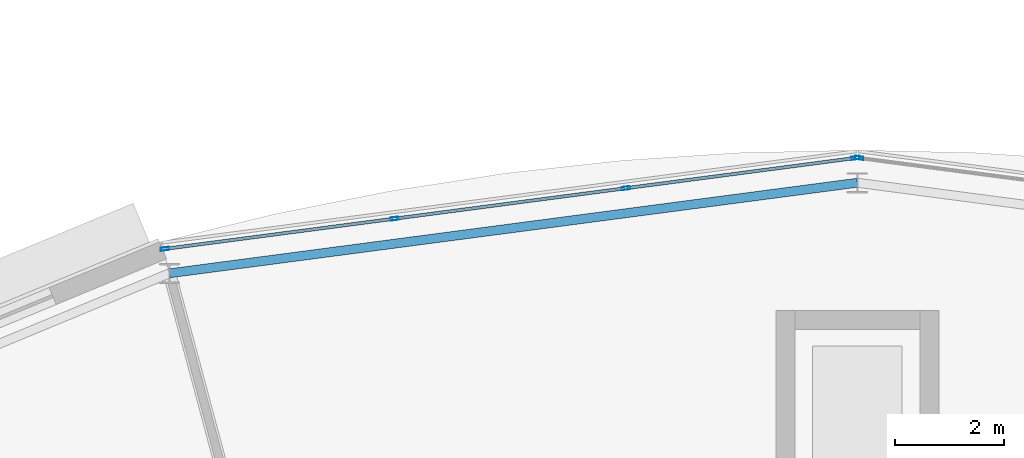
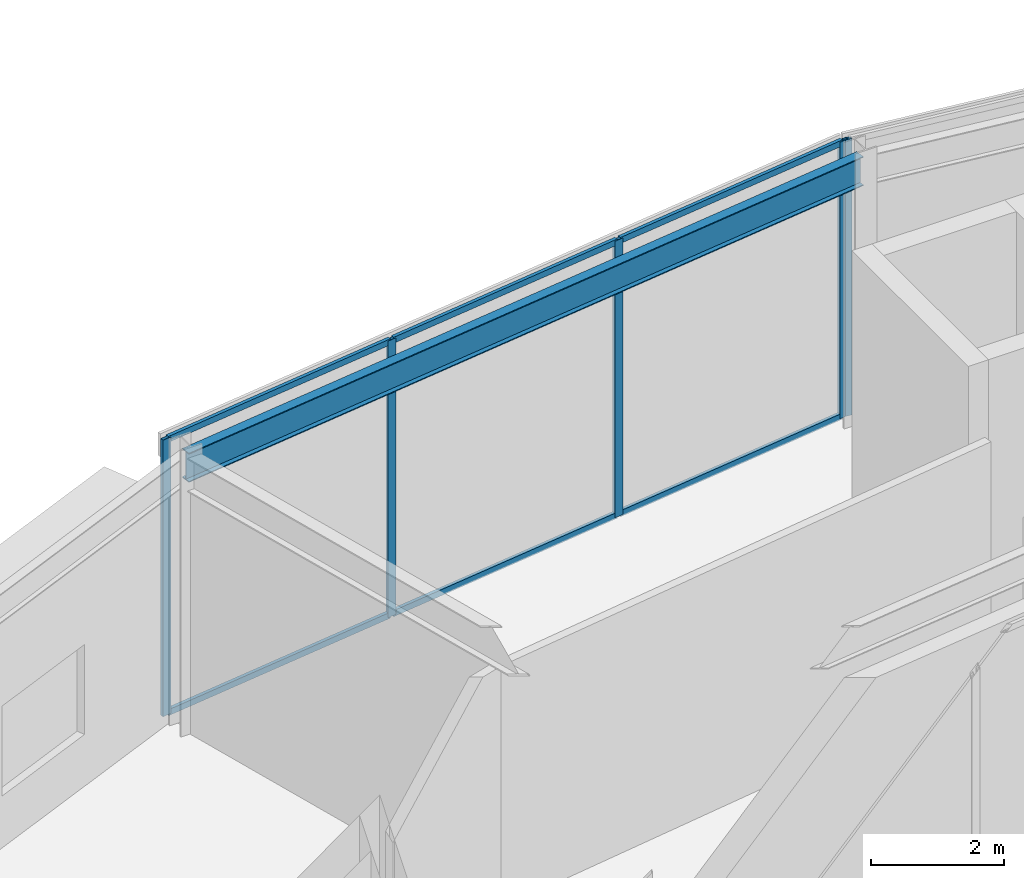
# One storey, part 92 of 168: 11 members, 1 beam, 2 elements without a shape of their own.
"""IFC4 building model written with IfcOpenShell, lengths in metres."""

from ifc_helpers import new_model, si_unit, direction, frame, origin, origin_2d, place, context, subcontext, project, spatial, hollow_rectangle, i_section, extrude, material, material_profile, profile_set, type_object, element, aggregate, save


model = new_model("IFC4")

# Units and contexts
model_context = context("Model", 3, precision=1e-05, world=origin(), true_north=direction((0.0, 1.0)))
body_context = subcontext(model_context, "Body", "Model", "MODEL_VIEW")
ifc_project = project(units=[si_unit("LENGTHUNIT", "METRE"), si_unit("AREAUNIT", "SQUARE_METRE"), si_unit("VOLUMEUNIT", "CUBIC_METRE"), si_unit("PLANEANGLEUNIT", "RADIAN"), si_unit("MASSUNIT", "GRAM", prefix="KILO")], contexts=[model_context])

# Site, building, storey
site_placement = place(None, origin())
site = spatial("IfcSite", under=ifc_project, at=site_placement, CompositionType="ELEMENT")
building_placement = place(site_placement, origin())
building = spatial("IfcBuilding", under=site, at=building_placement, Name="Almandine Court Research Institute", CompositionType="ELEMENT")
storey_placement = place(building_placement, origin())
storey = spatial("IfcBuildingStorey", under=building, at=storey_placement, Name="L00", CompositionType="ELEMENT", Elevation=0.0)

# Beam
ifc_material_1 = material(Name="Steel ASTM A992 Grade 50", Category="steel")
ifc_material_profile_1 = material_profile(ifc_material_1, i_section(OverallWidth=0.166015625, OverallDepth=0.534912109375, WebThickness=0.010009765625, FlangeThickness=0.01708984375, at=origin_2d()), Name="W530x85")
ifc_profile_set_1 = profile_set([ifc_material_profile_1], Name="Steel ASTM A992 Grade 50")
beam_type = type_object("IfcBeamType", Name="Beam-G-05-E", PredefinedType="SPANDREL", material=ifc_profile_set_1)
beam_placement = place(storey_placement, frame((87.0, 104.89990234375, 4.802978515625), z_axis=(-0.991446677504, -0.130512396599, 0.0), x_axis=(0.130512396599, -0.991446677504, 0.0)))
element("IfcBeam", 1, at=beam_placement, inside=storey, type_object=beam_type, Name="L00 Drum OUT Ring Beam 06", PredefinedType="SPANDREL", context=body_context, shape_type="SweptSolid", body=[
    extrude(i_section(OverallWidth=0.166015625, OverallDepth=0.534912109375, WebThickness=0.010009765625, FlangeThickness=0.01708984375, at=origin_2d()), origin(), (0.0, 0.0, 1.0), 12.76513671875),
])

# Curtain wall, member
ifc_material_2 = material(Name="Unitised Curtain Wall Framing and Solar Glazing", Category="glass")
curtain_wall_type = type_object("IfcCurtainWallType", Name="CW-CWG-18", PredefinedType="USERDEFINED", material=ifc_material_2)
curtain_wall_1_placement = place(storey_placement, origin())
curtain_wall_1 = element("IfcCurtainWall", 2, at=curtain_wall_1_placement, inside=storey, type_object=curtain_wall_type, Name="L00 Stacked-Ring Drum Outer Unitised Glazing 05", ObjectType="UNITISED GLAZING", PredefinedType="USERDEFINED")
ifc_material_3 = material(Name="Anodised Aluminium AW-6063-T6", Category="aluminium")
ifc_material_profile_2 = material_profile(ifc_material_3, hollow_rectangle(XDim=0.06005859375, YDim=0.14990234375, WallThickness=0.00390625, at=origin_2d()), Name="ALU RHS 60x150x4")
ifc_profile_set_2 = profile_set([ifc_material_profile_2], Name="Anodised Aluminium AW-6063-T6")
member_type_1 = type_object("IfcMemberType", Name="CWMul-60x150", PredefinedType="MULLION", material=ifc_profile_set_2)
member_1_placement = place(storey_placement, frame((87.03369140625, 105.356201171875, 0.0), z_axis=(0.0, 0.0, 1.0), x_axis=(0.130540891259, 0.991442926098, 0.0)))
member_1 = element("IfcMember", 3, at=member_1_placement, type_object=member_type_1, Name="CWG-18 mullion 1", PredefinedType="MULLION", context=body_context, shape_type="SweptSolid", body=[
    extrude(hollow_rectangle(XDim=0.06005859375, YDim=0.14990234375, WallThickness=0.00390625, at=origin_2d()), origin(), (0.0, 0.0, 1.0), 5.070068359375),
])
aggregate(curtain_wall_1, [member_1])

# Curtain wall, members
curtain_wall_2_placement = place(storey_placement, origin())
curtain_wall_2 = element("IfcCurtainWall", 4, at=curtain_wall_2_placement, inside=storey, type_object=curtain_wall_type, Name="L00 Stacked-Ring Drum Outer Unitised Glazing 06", ObjectType="UNITISED GLAZING", PredefinedType="USERDEFINED")
member_2_placement = place(storey_placement, frame((74.2587890625, 103.682861328125, 0.0), z_axis=(0.0, 0.0, 1.0), x_axis=(-0.130540891259, 0.991442926098, 0.0)))
member_2 = element("IfcMember", 5, at=member_2_placement, type_object=member_type_1, Name="CWG-18 mullion 1", PredefinedType="MULLION", context=body_context, shape_type="SweptSolid", body=[
    extrude(hollow_rectangle(XDim=0.06005859375, YDim=0.14990234375, WallThickness=0.00390625, at=origin_2d()), origin(), (0.0, 0.0, 1.0), 5.070068359375),
])
member_3_placement = place(storey_placement, frame((78.484619140625, 104.2392578125, 0.0), z_axis=(0.0, 0.0, 1.0), x_axis=(-0.130540891259, 0.991442926098, 0.0)))
member_3 = element("IfcMember", 6, at=member_3_placement, type_object=member_type_1, Name="CWG-18 mullion 2", PredefinedType="MULLION", context=body_context, shape_type="SweptSolid", body=[
    extrude(hollow_rectangle(XDim=0.06005859375, YDim=0.14990234375, WallThickness=0.00390625, at=origin_2d()), origin(), (0.0, 0.0, 1.0), 5.070068359375),
])
member_4_placement = place(storey_placement, frame((82.740234375, 104.799560546875, 0.0), z_axis=(0.0, 0.0, 1.0), x_axis=(-0.130540891259, 0.991442926098, 0.0)))
member_4 = element("IfcMember", 7, at=member_4_placement, type_object=member_type_1, Name="CWG-18 mullion 3", PredefinedType="MULLION", context=body_context, shape_type="SweptSolid", body=[
    extrude(hollow_rectangle(XDim=0.06005859375, YDim=0.14990234375, WallThickness=0.00390625, at=origin_2d()), origin(), (0.0, 0.0, 1.0), 5.070068359375),
])
member_5_placement = place(storey_placement, frame((86.96630859375, 105.356201171875, 0.0), z_axis=(0.0, 0.0, 1.0), x_axis=(-0.130540891259, 0.991442926098, 0.0)))
member_5 = element("IfcMember", 8, at=member_5_placement, type_object=member_type_1, Name="CWG-18 mullion 4", PredefinedType="MULLION", context=body_context, shape_type="SweptSolid", body=[
    extrude(hollow_rectangle(XDim=0.06005859375, YDim=0.14990234375, WallThickness=0.00390625, at=origin_2d()), origin(), (0.0, 0.0, 1.0), 5.070068359375),
])
ifc_material_profile_3 = material_profile(ifc_material_3, hollow_rectangle(XDim=0.06005859375, YDim=0.110107421875, WallThickness=0.00390625, at=origin_2d()), Name="ALU RHS 60x110x4")
ifc_profile_set_3 = profile_set([ifc_material_profile_3], Name="Anodised Aluminium AW-6063-T6")
member_type_2 = type_object("IfcMemberType", Name="CWTrn-60x110", PredefinedType="NOTDEFINED", material=ifc_profile_set_3)
member_6_placement = place(storey_placement, frame((74.28857421875, 103.686767578125, 0.030029296875), z_axis=(0.991442228753, 0.130546187402, 0.0), x_axis=(-0.130546187402, 0.991442228753, 0.0)))
member_6 = element("IfcMember", 9, at=member_6_placement, type_object=member_type_2, Name="CWG-18 transom 1.1", ObjectType="TRANSOM", PredefinedType="USERDEFINED", context=body_context, shape_type="SweptSolid", body=[
    extrude(hollow_rectangle(XDim=0.06005859375, YDim=0.110107421875, WallThickness=0.00390625, at=origin_2d()), origin(), (0.0, 0.0, 1.0), 4.2021484375),
])
member_7_placement = place(storey_placement, frame((74.28857421875, 103.686767578125, 5.0400390625), z_axis=(0.991442228753, 0.130546187402, 0.0), x_axis=(-0.130546187402, 0.991442228753, 0.0)))
member_7 = element("IfcMember", 10, at=member_7_placement, type_object=member_type_2, Name="CWG-18 transom 1.2", ObjectType="TRANSOM", PredefinedType="USERDEFINED", context=body_context, shape_type="SweptSolid", body=[
    extrude(hollow_rectangle(XDim=0.06005859375, YDim=0.110107421875, WallThickness=0.00390625, at=origin_2d()), origin(), (0.0, 0.0, 1.0), 4.2021484375),
])
member_8_placement = place(storey_placement, frame((78.514404296875, 104.2431640625, 0.030029296875), z_axis=(0.991443690345, 0.130535086761, 0.0), x_axis=(-0.130535086761, 0.991443690345, 0.0)))
member_8 = element("IfcMember", 11, at=member_8_placement, type_object=member_type_2, Name="CWG-18 transom 2.1", ObjectType="TRANSOM", PredefinedType="USERDEFINED", context=body_context, shape_type="SweptSolid", body=[
    extrude(hollow_rectangle(XDim=0.06005859375, YDim=0.110107421875, WallThickness=0.00390625, at=origin_2d()), origin(), (0.0, 0.0, 1.0), 4.232421875),
])
member_9_placement = place(storey_placement, frame((78.514404296875, 104.2431640625, 5.0400390625), z_axis=(0.991443690345, 0.130535086761, 0.0), x_axis=(-0.130535086761, 0.991443690345, 0.0)))
member_9 = element("IfcMember", 12, at=member_9_placement, type_object=member_type_2, Name="CWG-18 transom 2.2", ObjectType="TRANSOM", PredefinedType="USERDEFINED", context=body_context, shape_type="SweptSolid", body=[
    extrude(hollow_rectangle(XDim=0.06005859375, YDim=0.110107421875, WallThickness=0.00390625, at=origin_2d()), origin(), (0.0, 0.0, 1.0), 4.232421875),
])
member_10_placement = place(storey_placement, frame((82.77001953125, 104.803466796875, 0.030029296875), z_axis=(0.991443218791, 0.130538668266, 0.0), x_axis=(-0.130538668266, 0.991443218791, 0.0)))
member_10 = element("IfcMember", 13, at=member_10_placement, type_object=member_type_2, Name="CWG-18 transom 3.1", ObjectType="TRANSOM", PredefinedType="USERDEFINED", context=body_context, shape_type="SweptSolid", body=[
    extrude(hollow_rectangle(XDim=0.06005859375, YDim=0.110107421875, WallThickness=0.00390625, at=origin_2d()), origin(), (0.0, 0.0, 1.0), 4.202392578125),
])
member_11_placement = place(storey_placement, frame((82.77001953125, 104.803466796875, 5.0400390625), z_axis=(0.991443218791, 0.130538668266, 0.0), x_axis=(-0.130538668266, 0.991443218791, 0.0)))
member_11 = element("IfcMember", 14, at=member_11_placement, type_object=member_type_2, Name="CWG-18 transom 3.2", ObjectType="TRANSOM", PredefinedType="USERDEFINED", context=body_context, shape_type="SweptSolid", body=[
    extrude(hollow_rectangle(XDim=0.06005859375, YDim=0.110107421875, WallThickness=0.00390625, at=origin_2d()), origin(), (0.0, 0.0, 1.0), 4.202392578125),
])
aggregate(curtain_wall_2, [member_2, member_3, member_4, member_5, member_6, member_7, member_8, member_9, member_10, member_11])

save(model, "model.ifc")
